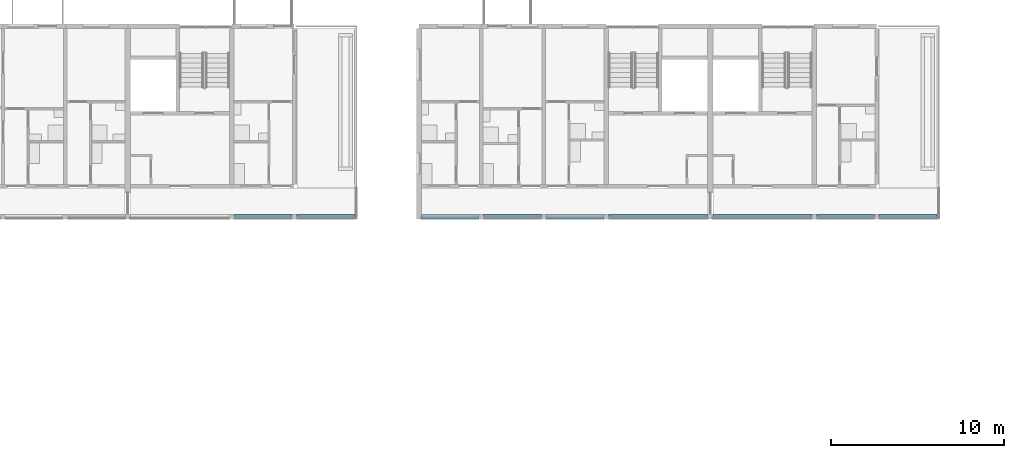
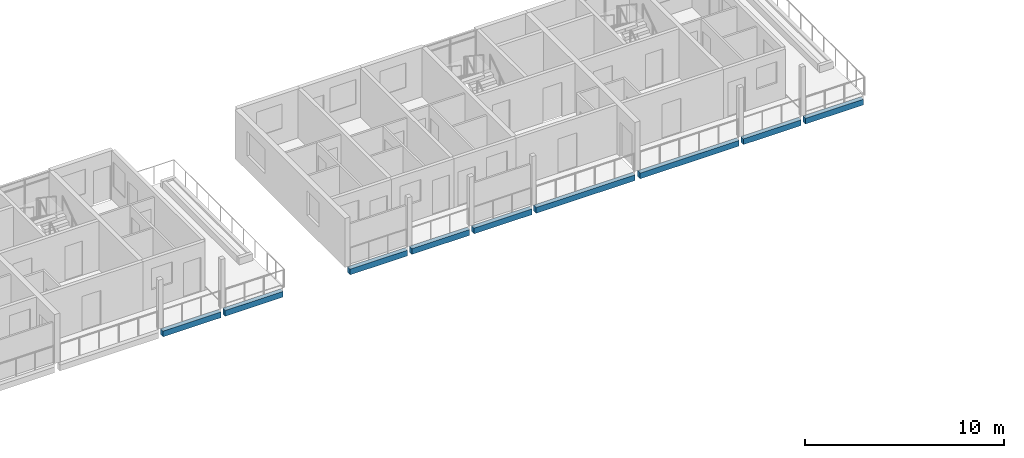
# One storey, part 21 of 94: 9 beams.
"""IFC4 building model written with IfcOpenShell, lengths in metres."""

import ifcopenshell
import ifcopenshell.guid

model = None  # the IFC model being written
_history = None  # IfcOwnerHistory: only IFC2X3 demands one
_inside = {}  # id of a spatial element -> (the spatial element, [elements in it])
_under = {}  # id of a project, library or spatial element -> (it, [spatial elements below it])
_declared = {}  # id of a project -> (the project, [libraries it declares])
_typed = {}  # id of a type object -> (the type object, [elements of that type])
_made_of = {}  # id of a material, layer set ... -> (it, [elements and type objects made of it])


def new_model(schema):
    """Start an empty IFC model of exactly this schema.

    Asked for "IFC4X3", IfcOpenShell would pick the latest addendum, in which some entities
    have other attributes; the version numbers below select the first issue.
    IFC2X3 requires an IfcOwnerHistory on every rooted entity: one is made here for all.
    """
    global model, _history
    if schema == "IFC4X3":
        model = ifcopenshell.file(schema_version=(4, 3, 0, 0))
    else:
        model = ifcopenshell.file(schema=schema)
    _inside.clear()
    _under.clear()
    _declared.clear()
    _typed.clear()
    _made_of.clear()
    _history = None
    if model.schema == "IFC2X3":
        org = make("IfcOrganization", Name="unknown")
        user = make(
            "IfcPersonAndOrganization",
            ThePerson=make("IfcPerson", FamilyName="unknown"),
            TheOrganization=org,
        )
        app = make(
            "IfcApplication",
            ApplicationDeveloper=org,
            Version="unknown",
            ApplicationFullName="unknown",
            ApplicationIdentifier="unknown",
        )
        _history = make(
            "IfcOwnerHistory",
            OwningUser=user,
            OwningApplication=app,
            ChangeAction="ADDED",
            CreationDate=0,
        )
    return model


def make(cls, **values):
    """One entity of the class cls with the attributes given. An attribute that is None is left unset."""
    return model.create_entity(
        cls, **{name: value for name, value in values.items() if value is not None}
    )


def rooted(cls, **values):
    """An entity with a GlobalId (a new one), such as an element, a storey or a relation."""
    return make(cls, GlobalId=ifcopenshell.guid.new(), OwnerHistory=_history, **values)


def si_unit(unit_type, name, prefix=None):
    """IfcSIUnit, for example si_unit("LENGTHUNIT", "METRE", prefix="MILLI")."""
    return make("IfcSIUnit", UnitType=unit_type, Prefix=prefix, Name=name)


def assignment(units):
    """IfcUnitAssignment: the units of a project."""
    return None if units is None else make("IfcUnitAssignment", Units=units)


def point(xyz):
    """IfcCartesianPoint."""
    return None if xyz is None else make("IfcCartesianPoint", Coordinates=xyz)


def direction(xyz):
    """IfcDirection."""
    return None if xyz is None else make("IfcDirection", DirectionRatios=xyz)


def frame(location, z_axis=None, x_axis=None):
    """IfcAxis2Placement3D, a coordinate frame: its origin and axes. An axis left out is left unset."""
    return make(
        "IfcAxis2Placement3D",
        Location=point(location),
        Axis=direction(z_axis),
        RefDirection=direction(x_axis),
    )


def frame_2d(location, x_axis=None):
    """IfcAxis2Placement2D, a coordinate frame in the plane: its origin and x axis."""
    return make(
        "IfcAxis2Placement2D", Location=point(location), RefDirection=direction(x_axis)
    )


def origin():
    """The frame at (0, 0, 0) with its axes left unset."""
    return frame((0.0, 0.0, 0.0))


def origin_2d():
    """The frame at (0, 0) in the plane with its x axis left unset."""
    return frame_2d((0.0, 0.0))


def place(relative_to, where):
    """IfcLocalPlacement: puts the frame where relative to a parent placement (None: the world)."""
    return make(
        "IfcLocalPlacement", PlacementRelTo=relative_to, RelativePlacement=where
    )


def context(
    kind, dimensions, precision=None, world=None, true_north=None, identifier=None
):
    """IfcGeometricRepresentationContext, for example the 3D "Model" context."""
    return make(
        "IfcGeometricRepresentationContext",
        ContextIdentifier=identifier,
        ContextType=kind,
        CoordinateSpaceDimension=dimensions,
        Precision=precision,
        WorldCoordinateSystem=world,
        TrueNorth=true_north,
    )


def subcontext(parent, identifier, kind, view, scale=None):
    """IfcGeometricRepresentationSubContext, for example "Body" below "Model"."""
    return make(
        "IfcGeometricRepresentationSubContext",
        ContextIdentifier=identifier,
        ContextType=kind,
        ParentContext=parent,
        TargetScale=scale,
        TargetView=view,
    )


def project(units=None, contexts=None):
    """IfcProject with its units and contexts."""
    return rooted(
        "IfcProject",
        Name="project",
        RepresentationContexts=contexts,
        UnitsInContext=assignment(units),
    )


def spatial(cls, under=None, at=None, **own):
    """A site, building, storey or space (cls), placed at a placement, below another one or the project."""
    s = rooted(cls, ObjectPlacement=at, **own)
    if under is not None:
        _under.setdefault(under.id(), (under, []))[1].append(s)
    return s


def profile(cls, at=None, kind="AREA", **sizes):
    """A parametric profile (cls). Its sizes go by their IFC names, for example OverallWidth=200.0."""
    return make(cls, ProfileType=kind, Position=at, **sizes)


def rectangle(**sizes):
    """IfcRectangleProfileDef."""
    return profile("IfcRectangleProfileDef", **sizes)


def extrude(swept, where, along, depth):
    """IfcExtrudedAreaSolid: the profile swept, set in the frame where, extruded along a direction by depth."""
    return make(
        "IfcExtrudedAreaSolid",
        SweptArea=swept,
        Position=where,
        ExtrudedDirection=direction(along),
        Depth=depth,
    )


def shape(context_of_items, identifier, shape_type, items):
    """IfcShapeRepresentation: the items that make up one representation, for example the "Body"."""
    return make(
        "IfcShapeRepresentation",
        ContextOfItems=context_of_items,
        RepresentationIdentifier=identifier,
        RepresentationType=shape_type,
        Items=items,
    )


def material(Name=None, Category=None):
    """IfcMaterial."""
    return make("IfcMaterial", Name=Name, Category=Category)


def material_profile(
    of_material, cross_section, Name=None, Category=None, Priority=None
):
    """IfcMaterialProfile: a cross section and its material."""
    return make(
        "IfcMaterialProfile",
        Name=Name,
        Material=of_material,
        Profile=cross_section,
        Priority=Priority,
        Category=Category,
    )


def profile_set(profiles, Name=None, composite=None):
    """IfcMaterialProfileSet."""
    return make(
        "IfcMaterialProfileSet",
        Name=Name,
        MaterialProfiles=profiles,
        CompositeProfile=composite,
    )


def made_of(thing, what):
    """Note that an element or type object is made of a material, layer set ...; save() writes the relation."""
    if what is not None:
        _made_of.setdefault(what.id(), (what, []))[1].append(thing)
    return thing


def type_object(cls, material=None, **own):
    """A type object (cls), such as IfcWallType, which elements share."""
    return made_of(rooted(cls, **own), material)


def element(
    cls,
    number,
    at=None,
    inside=None,
    cuts=None,
    type_object=None,
    material=None,
    context=None,
    identifier="Body",
    shape_type=None,
    held_by="IfcProductDefinitionShape",
    body=None,
    shapes=None,
    **own,
):
    """One element of the class cls, such as IfcWall. Its Tag is "e" and its number.

    at: its placement. inside: the storey or other place that contains it. cuts: it is an
    opening in that element (IfcRelVoidsElement). A single representation is given by context,
    identifier, shape_type and body (its items); several are given by shapes. held_by: the class
    of the entity that holds the representations. save() writes the other relations.
    """
    e = rooted(cls, Tag="e%d" % number, ObjectPlacement=at, **own)
    if body is not None:
        shapes = [shape(context, identifier, shape_type, body)]
    if shapes is not None:
        e.Representation = make(held_by, Representations=shapes)
    if inside is not None:
        _inside.setdefault(inside.id(), (inside, []))[1].append(e)
    if cuts is not None:
        rooted(
            "IfcRelVoidsElement", RelatingBuildingElement=cuts, RelatedOpeningElement=e
        )
    if type_object is not None:
        _typed.setdefault(type_object.id(), (type_object, []))[1].append(e)
    return made_of(e, material)


def aggregate(whole, parts):
    """IfcRelAggregates: a whole, such as a stair, and the parts it consists of."""
    return rooted("IfcRelAggregates", RelatingObject=whole, RelatedObjects=parts)


def save(model, path):
    """Write the relations noted so far, then the file.

    IfcRelAggregates (storeys below a building ...), IfcRelContainedInSpatialStructure (elements
    in a storey), IfcRelDefinesByType, IfcRelAssociatesMaterial and IfcRelDeclares: one each for
    every whole, place, type object, material and project.
    """
    for whole, parts in _under.values():
        aggregate(whole, parts)
    for where, things in _inside.values():
        rooted(
            "IfcRelContainedInSpatialStructure",
            RelatedElements=things,
            RelatingStructure=where,
        )
    for kind, things in _typed.values():
        rooted("IfcRelDefinesByType", RelatedObjects=things, RelatingType=kind)
    for what, things in _made_of.values():
        rooted("IfcRelAssociatesMaterial", RelatedObjects=things, RelatingMaterial=what)
    for by, libraries in _declared.values():
        rooted("IfcRelDeclares", RelatingContext=by, RelatedDefinitions=libraries)
    model.write(path)


model = new_model("IFC4")

# Units and contexts
model_context = context("Model", 3, precision=1e-05, world=origin(), true_north=direction((0.0, 1.0)))
body_context = subcontext(model_context, "Body", "Model", "MODEL_VIEW")
ifc_project = project(units=[si_unit("LENGTHUNIT", "METRE"), si_unit("AREAUNIT", "SQUARE_METRE"), si_unit("VOLUMEUNIT", "CUBIC_METRE"), si_unit("PLANEANGLEUNIT", "RADIAN"), si_unit("MASSUNIT", "GRAM", prefix="KILO")], contexts=[model_context])

# Site, building, storey
site_placement = place(None, origin())
site = spatial("IfcSite", under=ifc_project, at=site_placement, CompositionType="ELEMENT")
building_placement = place(site_placement, origin())
building = spatial("IfcBuilding", under=site, at=building_placement, Name="Ridgestep Commons", CompositionType="ELEMENT")
storey_placement = place(building_placement, frame((0.0, 0.0, 24.0)))
storey = spatial("IfcBuildingStorey", under=building, at=storey_placement, Name="L08", CompositionType="ELEMENT", Elevation=24.0)

# Beams
ifc_material = material(Name="Precast concrete C40/50", Category="concrete")
ifc_material_profile = material_profile(ifc_material, rectangle(XDim=0.25, YDim=0.35009765625, at=origin_2d()), Name="PC 250x350")
ifc_profile_set = profile_set([ifc_material_profile], Name="Precast concrete C40/50")
beam_type = type_object("IfcBeamType", Name="Loggia edge beam 250 x 350", PredefinedType="SPANDREL", material=ifc_profile_set)
beam_1_placement = place(storey_placement, frame((203.324951171875, 66.125, -0.375), z_axis=(1.0, 0.0, 0.0), x_axis=(0.0, 1.0, 0.0)))
element("IfcBeam", 1, at=beam_1_placement, inside=storey, type_object=beam_type, Name="Loggia edge beam C4T3 L08", PredefinedType="SPANDREL", context=body_context, shape_type="SweptSolid", body=[
    extrude(rectangle(XDim=0.25, YDim=0.35009765625, at=origin_2d()), origin(), (0.0, 0.0, 1.0), 3.35009765625),
])
beam_2_placement = place(storey_placement, frame((206.925048828125, 66.125, -0.375), z_axis=(1.0, 0.0, 0.0), x_axis=(0.0, 1.0, 0.0)))
element("IfcBeam", 2, at=beam_2_placement, inside=storey, type_object=beam_type, Name="Loggia edge beam C4T2 L08", PredefinedType="SPANDREL", context=body_context, shape_type="SweptSolid", body=[
    extrude(rectangle(XDim=0.25, YDim=0.35009765625, at=origin_2d()), origin(), (0.0, 0.0, 1.0), 3.349853515625),
])
beam_3_placement = place(storey_placement, frame((214.14990234375, 66.125, -0.375), z_axis=(1.0, 0.0, 0.0), x_axis=(0.0, 1.0, 0.0)))
element("IfcBeam", 3, at=beam_3_placement, inside=storey, type_object=beam_type, Name="Loggia edge beam C5T1 L08", PredefinedType="SPANDREL", context=body_context, shape_type="SweptSolid", body=[
    extrude(rectangle(XDim=0.25, YDim=0.35009765625, at=origin_2d()), origin(), (0.0, 0.0, 1.0), 3.3251953125),
])
beam_4_placement = place(storey_placement, frame((217.72509765625, 66.125, -0.375), z_axis=(1.0, 0.0, 0.0), x_axis=(0.0, 1.0, 0.0)))
element("IfcBeam", 4, at=beam_4_placement, inside=storey, type_object=beam_type, Name="Loggia edge beam C5T2 L08", PredefinedType="SPANDREL", context=body_context, shape_type="SweptSolid", body=[
    extrude(rectangle(XDim=0.25, YDim=0.35009765625, at=origin_2d()), origin(), (0.0, 0.0, 1.0), 3.349853515625),
])
beam_5_placement = place(storey_placement, frame((221.324951171875, 66.125, -0.375), z_axis=(1.0, 0.0, 0.0), x_axis=(0.0, 1.0, 0.0)))
element("IfcBeam", 5, at=beam_5_placement, inside=storey, type_object=beam_type, Name="Loggia edge beam C5T3 L08", PredefinedType="SPANDREL", context=body_context, shape_type="SweptSolid", body=[
    extrude(rectangle(XDim=0.25, YDim=0.35009765625, at=origin_2d()), origin(), (0.0, 0.0, 1.0), 3.35009765625),
])
beam_6_placement = place(storey_placement, frame((224.925048828125, 66.125, -0.375), z_axis=(1.0, 0.0, 0.0), x_axis=(0.0, 1.0, 0.0)))
element("IfcBeam", 6, at=beam_6_placement, inside=storey, type_object=beam_type, Name="Loggia edge beam C5C L08", PredefinedType="SPANDREL", context=body_context, shape_type="SweptSolid", body=[
    extrude(rectangle(XDim=0.25, YDim=0.35009765625, at=origin_2d()), origin(), (0.0, 0.0, 1.0), 5.724853515625),
])
beam_7_placement = place(storey_placement, frame((230.949951171875, 66.125, -0.375), z_axis=(1.0, 0.0, 0.0), x_axis=(0.0, 1.0, 0.0)))
element("IfcBeam", 7, at=beam_7_placement, inside=storey, type_object=beam_type, Name="Loggia edge beam C6C L08", PredefinedType="SPANDREL", context=body_context, shape_type="SweptSolid", body=[
    extrude(rectangle(XDim=0.25, YDim=0.35009765625, at=origin_2d()), origin(), (0.0, 0.0, 1.0), 5.72509765625),
])
beam_8_placement = place(storey_placement, frame((236.925048828125, 66.125, -0.375), z_axis=(1.0, 0.0, 0.0), x_axis=(0.0, 1.0, 0.0)))
element("IfcBeam", 8, at=beam_8_placement, inside=storey, type_object=beam_type, Name="Loggia edge beam C6T3 L08", PredefinedType="SPANDREL", context=body_context, shape_type="SweptSolid", body=[
    extrude(rectangle(XDim=0.25, YDim=0.35009765625, at=origin_2d()), origin(), (0.0, 0.0, 1.0), 3.349853515625),
])
beam_9_placement = place(storey_placement, frame((240.52490234375, 66.125, -0.375), z_axis=(1.0, 0.0, 0.0), x_axis=(0.0, 1.0, 0.0)))
element("IfcBeam", 9, at=beam_9_placement, inside=storey, type_object=beam_type, Name="Loggia edge beam C6T2 L08", PredefinedType="SPANDREL", context=body_context, shape_type="SweptSolid", body=[
    extrude(rectangle(XDim=0.25, YDim=0.35009765625, at=origin_2d()), origin(), (0.0, 0.0, 1.0), 3.35009765625),
])

save(model, "model.ifc")
